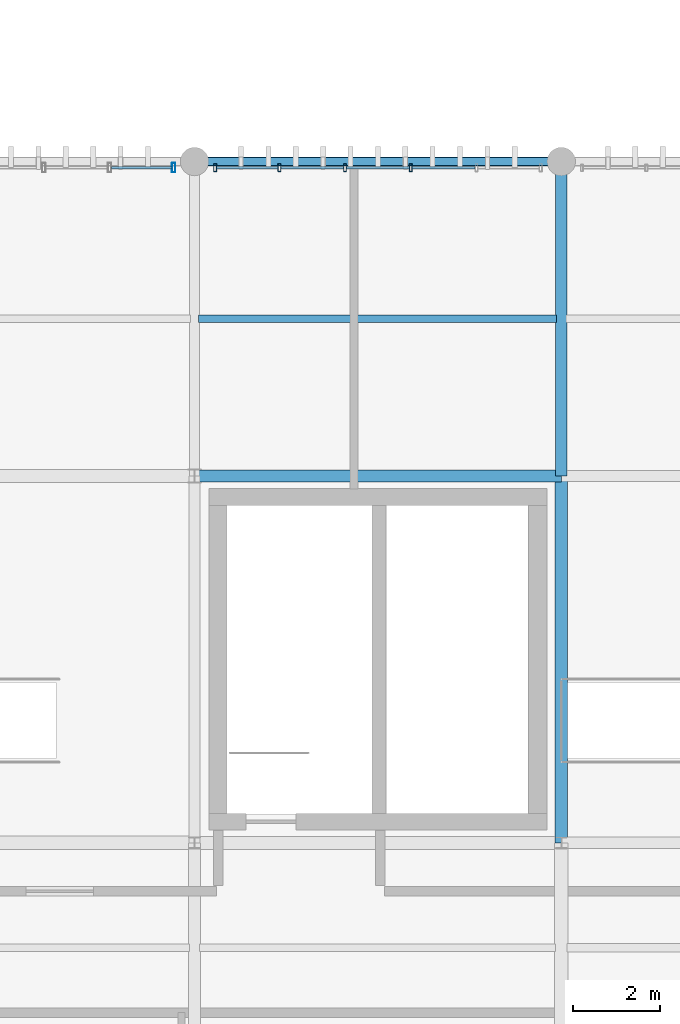
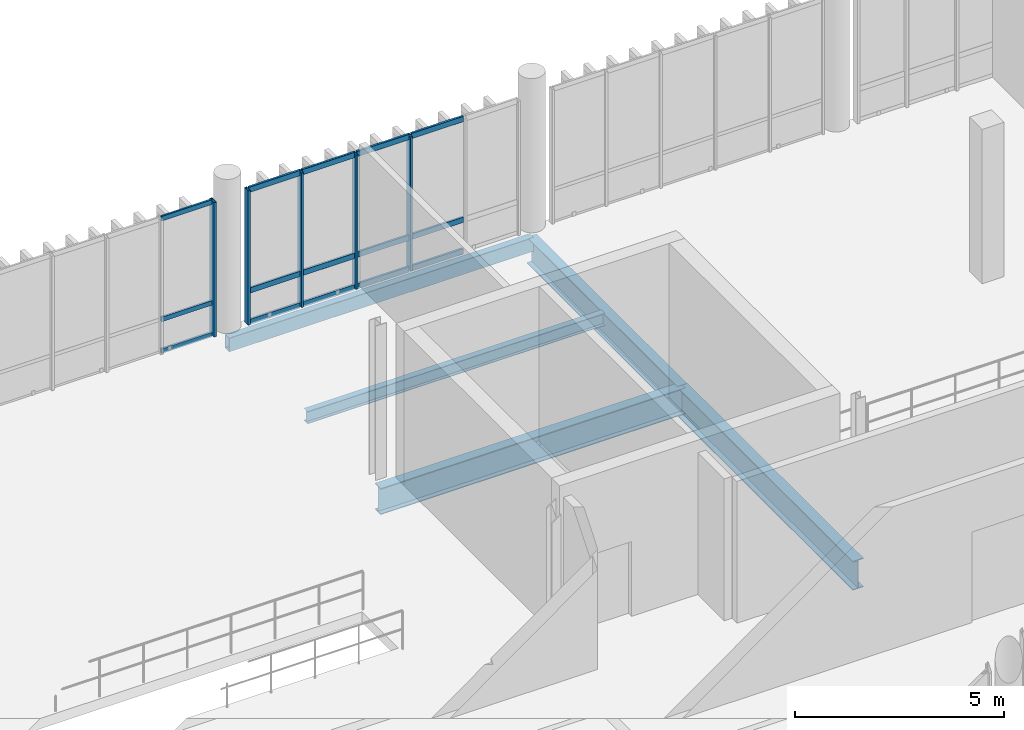
# One storey, part 29 of 66: 20 members, 5 beams, 2 elements without a shape of their own.
"""IFC4 building model written with IfcOpenShell, lengths in metres."""

from ifc_helpers import new_model, si_unit, direction, frame, origin_with_axes, origin_2d_with_axis, place, context, subcontext, project, spatial, hollow_rectangle, i_section, extrude, material, material_profile, profile_set, type_object, element, aggregate, save


model = new_model("IFC4")

# Units and contexts
model_context = context("Model", 3, precision=1e-05, world=origin_with_axes(), true_north=direction((0.0, 1.0)))
body_context = subcontext(model_context, "Body", "Model", "MODEL_VIEW")
ifc_project = project(units=[si_unit("LENGTHUNIT", "METRE"), si_unit("AREAUNIT", "SQUARE_METRE"), si_unit("VOLUMEUNIT", "CUBIC_METRE"), si_unit("PLANEANGLEUNIT", "RADIAN"), si_unit("MASSUNIT", "GRAM", prefix="KILO"), si_unit("THERMODYNAMICTEMPERATUREUNIT", "KELVIN")], contexts=[model_context])

# Site, building, storey
site_placement = place(None, origin_with_axes())
site = spatial("IfcSite", under=ifc_project, at=site_placement, CompositionType="ELEMENT")
building_placement = place(site_placement, origin_with_axes())
building = spatial("IfcBuilding", under=site, at=building_placement, Name="Montbau Bow Law Courts", CompositionType="ELEMENT")
storey_placement = place(building_placement, frame((0.0, 0.0, 34.5), z_axis=(0.0, 0.0, 1.0), x_axis=(1.0, 0.0, 0.0)))
storey = spatial("IfcBuildingStorey", under=building, at=storey_placement, Name="L07", CompositionType="ELEMENT", Elevation=34.5)

# Beams
ifc_material_1 = material(Name="Steel CSA G40.21 Grade 350W (350 MPa)", Category="steel")
ifc_material_profile_1 = material_profile(ifc_material_1, i_section(OverallWidth=0.293, OverallDepth=0.846, WebThickness=0.0154, FlangeThickness=0.0244, at=origin_2d_with_axis()), Name="W840X210", Category="Main", Priority=0)
ifc_profile_set_1 = profile_set([ifc_material_profile_1], Name="Steel CSA G40.21 Grade 350W (350 MPa)")
beam_type_1 = type_object("IfcBeamType", Name="B-FLR-02", PredefinedType="BEAM", material=ifc_profile_set_1)
beam_1_placement = place(None, frame((88.8, 46.2, 33.777), z_axis=(0.0, 1.0, 0.0), x_axis=(-1.0, 0.0, 0.0)))
element("IfcBeam", 1, at=beam_1_placement, inside=storey, type_object=beam_type_1, Name="BM-L07-S1054:bm2_1057", PredefinedType="BEAM", context=body_context, shape_type="SweptSolid", body=[
    extrude(i_section(OverallWidth=0.293, OverallDepth=0.846, WebThickness=0.0154, FlangeThickness=0.0244, at=origin_2d_with_axis()), origin_with_axes(), (0.0, 0.0, 1.0), 8.4),
])
ifc_material_profile_2 = material_profile(ifc_material_1, i_section(OverallWidth=0.267, OverallDepth=0.766, WebThickness=0.0149, FlangeThickness=0.0236, at=origin_2d_with_axis()), Name="W760X185", Category="Main", Priority=0)
ifc_profile_set_2 = profile_set([ifc_material_profile_2], Name="Steel CSA G40.21 Grade 350W (350 MPa)")
beam_type_2 = type_object("IfcBeamType", Name="B-FLR-03", PredefinedType="BEAM", material=ifc_profile_set_2)
beam_2_placement = place(None, frame((80.4, 54.6, 33.817), z_axis=(1.0, 0.0, 0.0), x_axis=(0.0, 1.0, 0.0)))
element("IfcBeam", 2, at=beam_2_placement, inside=storey, type_object=beam_type_2, Name="BM-L07-S1033:bm2_1036", PredefinedType="BEAM", context=body_context, shape_type="SweptSolid", body=[
    extrude(i_section(OverallWidth=0.267, OverallDepth=0.766, WebThickness=0.0149, FlangeThickness=0.0236, at=origin_2d_with_axis()), origin_with_axes(), (0.0, 0.0, 1.0), 8.4),
])
beam_3_placement = place(None, frame((88.8, 54.6, 33.817), z_axis=(0.0, 1.0, 0.0), x_axis=(-1.0, 0.0, 0.0)))
element("IfcBeam", 3, at=beam_3_placement, inside=storey, type_object=beam_type_2, Name="BM-L07-S1055:bm2_1058", PredefinedType="BEAM", context=body_context, shape_type="SweptSolid", body=[
    extrude(i_section(OverallWidth=0.267, OverallDepth=0.766, WebThickness=0.0149, FlangeThickness=0.0236, at=origin_2d_with_axis()), origin_with_axes(), (0.0, 0.0, 1.0), 7.2),
])
ifc_material_profile_3 = material_profile(ifc_material_1, i_section(OverallWidth=0.172, OverallDepth=0.358, WebThickness=0.0079, FlangeThickness=0.0131, at=origin_2d_with_axis()), Name="W360X57", Category="Main", Priority=0)
ifc_profile_set_3 = profile_set([ifc_material_profile_3], Name="Steel CSA G40.21 Grade 350W (350 MPa)")
beam_type_3 = type_object("IfcBeamType", Name="B-JST-03", PredefinedType="JOIST", material=ifc_profile_set_3)
beam_4_placement = place(None, frame((80.491, 58.2, 34.021), z_axis=(1.0, 0.0, 0.0), x_axis=(0.0, 1.0, 0.0)))
element("IfcBeam", 4, at=beam_4_placement, inside=storey, type_object=beam_type_3, Name="JST-L07-S0538:jst2_0538", PredefinedType="JOIST", context=body_context, shape_type="SweptSolid", body=[
    extrude(i_section(OverallWidth=0.172, OverallDepth=0.358, WebThickness=0.0079, FlangeThickness=0.0131, at=origin_2d_with_axis()), origin_with_axes(), (0.0, 0.0, 1.0), 8.2),
])
ifc_material_2 = material(Name="Steel CSA G40.21 Grade 350WT (350 MPa)", Category="steel")
ifc_material_profile_4 = material_profile(ifc_material_2, hollow_rectangle(XDim=0.203, YDim=0.406, WallThickness=0.0127, InnerFilletRadius=0.0254, OuterFilletRadius=0.0127, at=origin_2d_with_axis()), Name="HSS406X203X13", Category="Main", Priority=0)
ifc_profile_set_4 = profile_set([ifc_material_profile_4], Name="Steel CSA G40.21 Grade 350WT (350 MPa)")
beam_type_4 = type_object("IfcBeamType", Name="B-SPN-01", PredefinedType="SPANDREL", material=ifc_profile_set_4)
beam_5_placement = place(None, frame((80.4, 61.8, 33.997), z_axis=(1.0, 0.0, 0.0), x_axis=(0.0, 1.0, 0.0)))
element("IfcBeam", 5, at=beam_5_placement, inside=storey, type_object=beam_type_4, Name="SPN-L07-S1039:bm2_1042", PredefinedType="SPANDREL", context=body_context, shape_type="SweptSolid", body=[
    extrude(hollow_rectangle(XDim=0.203, YDim=0.406, WallThickness=0.0127, InnerFilletRadius=0.0254, OuterFilletRadius=0.0127, at=origin_2d_with_axis()), origin_with_axes(), (0.0, 0.0, 1.0), 8.4),
])

# Curtain wall, member
ifc_material_3 = material(Name="Thermally Broken Extruded Aluminium AA 6063-T6", Category="aluminium")
curtain_wall_type = type_object("IfcCurtainWallType", Name="CW-CRM-02", PredefinedType="NOTDEFINED", material=ifc_material_3)
curtain_wall_1_placement = place(None, frame((72.44, 61.66, 34.5), z_axis=(0.0, 0.0, 1.0), x_axis=(1.0, 0.0, 0.0)))
curtain_wall_1 = element("IfcCurtainWall", 6, at=curtain_wall_1_placement, inside=storey, type_object=curtain_wall_type, Name="CW-L07-249:cw_0249", PredefinedType="NOTDEFINED")
ifc_material_profile_5 = material_profile(ifc_material_3, hollow_rectangle(XDim=0.075, YDim=0.22, WallThickness=0.005, InnerFilletRadius=0.01, OuterFilletRadius=0.005, at=origin_2d_with_axis()), Name="CWM-220X75", Category="Main", Priority=0)
ifc_profile_set_5 = profile_set([ifc_material_profile_5], Name="Thermally Broken Extruded Aluminium AA 6063-T6")
member_type_1 = type_object("IfcMemberType", Name="M-MUL-01", PredefinedType="MULLION", material=ifc_profile_set_5)
member_1_placement = place(None, frame((79.922, 61.66, 34.5), z_axis=(0.0, 0.0, 1.0), x_axis=(1.0, 0.0, 0.0)))
member_1 = element("IfcMember", 7, at=member_1_placement, type_object=member_type_1, Name="CW-L07-249-M06:cw_0249_M06", PredefinedType="MULLION", context=body_context, shape_type="SweptSolid", body=[
    extrude(hollow_rectangle(XDim=0.075, YDim=0.22, WallThickness=0.005, InnerFilletRadius=0.01, OuterFilletRadius=0.005, at=origin_2d_with_axis()), origin_with_axes(), (0.0, 0.0, 1.0), 3.92),
])

# Curtain wall, members
curtain_wall_2_placement = place(None, frame((80.84, 61.66, 34.5), z_axis=(0.0, 0.0, 1.0), x_axis=(1.0, 0.0, 0.0)))
curtain_wall_2 = element("IfcCurtainWall", 8, at=curtain_wall_2_placement, inside=storey, type_object=curtain_wall_type, Name="CW-L07-250:cw_0250", PredefinedType="NOTDEFINED")
ifc_material_profile_6 = material_profile(ifc_material_3, hollow_rectangle(XDim=0.065, YDim=0.18, WallThickness=0.005, InnerFilletRadius=0.01, OuterFilletRadius=0.005, at=origin_2d_with_axis()), Name="CWM-180X65", Category="Main", Priority=0)
ifc_profile_set_6 = profile_set([ifc_material_profile_6], Name="Thermally Broken Extruded Aluminium AA 6063-T6")
member_type_2 = type_object("IfcMemberType", Name="M-MUL-02", PredefinedType="MULLION", material=ifc_profile_set_6)
member_2_placement = place(None, frame((80.873, 61.66, 34.5), z_axis=(0.0, 0.0, 1.0), x_axis=(1.0, 0.0, 0.0)))
member_2 = element("IfcMember", 9, at=member_2_placement, type_object=member_type_2, Name="CW-L07-250-M01:cw_0250_M01", PredefinedType="MULLION", context=body_context, shape_type="SweptSolid", body=[
    extrude(hollow_rectangle(XDim=0.065, YDim=0.18, WallThickness=0.005, InnerFilletRadius=0.01, OuterFilletRadius=0.005, at=origin_2d_with_axis()), origin_with_axes(), (0.0, 0.0, 1.0), 3.92),
])
member_3_placement = place(None, frame((82.344, 61.66, 34.5), z_axis=(0.0, 0.0, 1.0), x_axis=(1.0, 0.0, 0.0)))
member_3 = element("IfcMember", 10, at=member_3_placement, type_object=member_type_2, Name="CW-L07-250-M02:cw_0250_M02", PredefinedType="MULLION", context=body_context, shape_type="SweptSolid", body=[
    extrude(hollow_rectangle(XDim=0.065, YDim=0.18, WallThickness=0.005, InnerFilletRadius=0.01, OuterFilletRadius=0.005, at=origin_2d_with_axis()), origin_with_axes(), (0.0, 0.0, 1.0), 3.92),
])
member_4_placement = place(None, frame((83.848, 61.66, 34.5), z_axis=(0.0, 0.0, 1.0), x_axis=(1.0, 0.0, 0.0)))
member_4 = element("IfcMember", 11, at=member_4_placement, type_object=member_type_2, Name="CW-L07-250-M03:cw_0250_M03", PredefinedType="MULLION", context=body_context, shape_type="SweptSolid", body=[
    extrude(hollow_rectangle(XDim=0.065, YDim=0.18, WallThickness=0.005, InnerFilletRadius=0.01, OuterFilletRadius=0.005, at=origin_2d_with_axis()), origin_with_axes(), (0.0, 0.0, 1.0), 3.92),
])
member_5_placement = place(None, frame((85.352, 61.66, 34.5), z_axis=(0.0, 0.0, 1.0), x_axis=(1.0, 0.0, 0.0)))
member_5 = element("IfcMember", 12, at=member_5_placement, type_object=member_type_2, Name="CW-L07-250-M04:cw_0250_M04", PredefinedType="MULLION", context=body_context, shape_type="SweptSolid", body=[
    extrude(hollow_rectangle(XDim=0.065, YDim=0.18, WallThickness=0.005, InnerFilletRadius=0.01, OuterFilletRadius=0.005, at=origin_2d_with_axis()), origin_with_axes(), (0.0, 0.0, 1.0), 3.92),
])
ifc_material_profile_7 = material_profile(ifc_material_3, hollow_rectangle(XDim=0.06, YDim=0.16, WallThickness=0.004, InnerFilletRadius=0.008, OuterFilletRadius=0.004, at=origin_2d_with_axis()), Name="CWT-160X60", Category="Main", Priority=0)
ifc_profile_set_7 = profile_set([ifc_material_profile_7], Name="Thermally Broken Extruded Aluminium AA 6063-T6")
member_type_3 = type_object("IfcMemberType", Name="M-TRN-01", PredefinedType="USERDEFINED", material=ifc_profile_set_7)
member_6_placement = place(None, frame((80.908, 61.66, 34.53), z_axis=(1.0, 0.0, 0.0), x_axis=(0.0, 1.0, 0.0)))
member_6 = element("IfcMember", 13, at=member_6_placement, type_object=member_type_3, Name="CW-L07-250-T01-1:cw_0250_T01_1", ObjectType="TRANSOM", PredefinedType="USERDEFINED", context=body_context, shape_type="SweptSolid", body=[
    extrude(hollow_rectangle(XDim=0.06, YDim=0.16, WallThickness=0.004, InnerFilletRadius=0.008, OuterFilletRadius=0.004, at=origin_2d_with_axis()), origin_with_axes(), (0.0, 0.0, 1.0), 1.402),
])
member_7_placement = place(None, frame((80.908, 61.66, 35.45), z_axis=(1.0, 0.0, 0.0), x_axis=(0.0, 1.0, 0.0)))
member_7 = element("IfcMember", 14, at=member_7_placement, type_object=member_type_3, Name="CW-L07-250-T01-2:cw_0250_T01_2", ObjectType="TRANSOM", PredefinedType="USERDEFINED", context=body_context, shape_type="SweptSolid", body=[
    extrude(hollow_rectangle(XDim=0.06, YDim=0.16, WallThickness=0.004, InnerFilletRadius=0.008, OuterFilletRadius=0.004, at=origin_2d_with_axis()), origin_with_axes(), (0.0, 0.0, 1.0), 1.402),
])
member_8_placement = place(None, frame((80.908, 61.66, 38.39), z_axis=(1.0, 0.0, 0.0), x_axis=(0.0, 1.0, 0.0)))
member_8 = element("IfcMember", 15, at=member_8_placement, type_object=member_type_3, Name="CW-L07-250-T01-3:cw_0250_T01_3", ObjectType="TRANSOM", PredefinedType="USERDEFINED", context=body_context, shape_type="SweptSolid", body=[
    extrude(hollow_rectangle(XDim=0.06, YDim=0.16, WallThickness=0.004, InnerFilletRadius=0.008, OuterFilletRadius=0.004, at=origin_2d_with_axis()), origin_with_axes(), (0.0, 0.0, 1.0), 1.402),
])
member_9_placement = place(None, frame((82.378, 61.66, 34.53), z_axis=(1.0, 0.0, 0.0), x_axis=(0.0, 1.0, 0.0)))
member_9 = element("IfcMember", 16, at=member_9_placement, type_object=member_type_3, Name="CW-L07-250-T02-1:cw_0250_T02_1", ObjectType="TRANSOM", PredefinedType="USERDEFINED", context=body_context, shape_type="SweptSolid", body=[
    extrude(hollow_rectangle(XDim=0.06, YDim=0.16, WallThickness=0.004, InnerFilletRadius=0.008, OuterFilletRadius=0.004, at=origin_2d_with_axis()), origin_with_axes(), (0.0, 0.0, 1.0), 1.436),
])
member_10_placement = place(None, frame((82.378, 61.66, 35.45), z_axis=(1.0, 0.0, 0.0), x_axis=(0.0, 1.0, 0.0)))
member_10 = element("IfcMember", 17, at=member_10_placement, type_object=member_type_3, Name="CW-L07-250-T02-2:cw_0250_T02_2", ObjectType="TRANSOM", PredefinedType="USERDEFINED", context=body_context, shape_type="SweptSolid", body=[
    extrude(hollow_rectangle(XDim=0.06, YDim=0.16, WallThickness=0.004, InnerFilletRadius=0.008, OuterFilletRadius=0.004, at=origin_2d_with_axis()), origin_with_axes(), (0.0, 0.0, 1.0), 1.436),
])
member_11_placement = place(None, frame((82.378, 61.66, 38.39), z_axis=(1.0, 0.0, 0.0), x_axis=(0.0, 1.0, 0.0)))
member_11 = element("IfcMember", 18, at=member_11_placement, type_object=member_type_3, Name="CW-L07-250-T02-3:cw_0250_T02_3", ObjectType="TRANSOM", PredefinedType="USERDEFINED", context=body_context, shape_type="SweptSolid", body=[
    extrude(hollow_rectangle(XDim=0.06, YDim=0.16, WallThickness=0.004, InnerFilletRadius=0.008, OuterFilletRadius=0.004, at=origin_2d_with_axis()), origin_with_axes(), (0.0, 0.0, 1.0), 1.436),
])
member_12_placement = place(None, frame((83.882, 61.66, 34.53), z_axis=(1.0, 0.0, 0.0), x_axis=(0.0, 1.0, 0.0)))
member_12 = element("IfcMember", 19, at=member_12_placement, type_object=member_type_3, Name="CW-L07-250-T03-1:cw_0250_T03_1", ObjectType="TRANSOM", PredefinedType="USERDEFINED", context=body_context, shape_type="SweptSolid", body=[
    extrude(hollow_rectangle(XDim=0.06, YDim=0.16, WallThickness=0.004, InnerFilletRadius=0.008, OuterFilletRadius=0.004, at=origin_2d_with_axis()), origin_with_axes(), (0.0, 0.0, 1.0), 1.436),
])
member_13_placement = place(None, frame((83.882, 61.66, 35.45), z_axis=(1.0, 0.0, 0.0), x_axis=(0.0, 1.0, 0.0)))
member_13 = element("IfcMember", 20, at=member_13_placement, type_object=member_type_3, Name="CW-L07-250-T03-2:cw_0250_T03_2", ObjectType="TRANSOM", PredefinedType="USERDEFINED", context=body_context, shape_type="SweptSolid", body=[
    extrude(hollow_rectangle(XDim=0.06, YDim=0.16, WallThickness=0.004, InnerFilletRadius=0.008, OuterFilletRadius=0.004, at=origin_2d_with_axis()), origin_with_axes(), (0.0, 0.0, 1.0), 1.436),
])
member_14_placement = place(None, frame((83.882, 61.66, 38.39), z_axis=(1.0, 0.0, 0.0), x_axis=(0.0, 1.0, 0.0)))
member_14 = element("IfcMember", 21, at=member_14_placement, type_object=member_type_3, Name="CW-L07-250-T03-3:cw_0250_T03_3", ObjectType="TRANSOM", PredefinedType="USERDEFINED", context=body_context, shape_type="SweptSolid", body=[
    extrude(hollow_rectangle(XDim=0.06, YDim=0.16, WallThickness=0.004, InnerFilletRadius=0.008, OuterFilletRadius=0.004, at=origin_2d_with_axis()), origin_with_axes(), (0.0, 0.0, 1.0), 1.436),
])
member_15_placement = place(None, frame((85.386, 61.66, 34.53), z_axis=(1.0, 0.0, 0.0), x_axis=(0.0, 1.0, 0.0)))
member_15 = element("IfcMember", 22, at=member_15_placement, type_object=member_type_3, Name="CW-L07-250-T04-1:cw_0250_T04_1", ObjectType="TRANSOM", PredefinedType="USERDEFINED", context=body_context, shape_type="SweptSolid", body=[
    extrude(hollow_rectangle(XDim=0.06, YDim=0.16, WallThickness=0.004, InnerFilletRadius=0.008, OuterFilletRadius=0.004, at=origin_2d_with_axis()), origin_with_axes(), (0.0, 0.0, 1.0), 1.436),
])
member_16_placement = place(None, frame((85.386, 61.66, 35.45), z_axis=(1.0, 0.0, 0.0), x_axis=(0.0, 1.0, 0.0)))
member_16 = element("IfcMember", 23, at=member_16_placement, type_object=member_type_3, Name="CW-L07-250-T04-2:cw_0250_T04_2", ObjectType="TRANSOM", PredefinedType="USERDEFINED", context=body_context, shape_type="SweptSolid", body=[
    extrude(hollow_rectangle(XDim=0.06, YDim=0.16, WallThickness=0.004, InnerFilletRadius=0.008, OuterFilletRadius=0.004, at=origin_2d_with_axis()), origin_with_axes(), (0.0, 0.0, 1.0), 1.436),
])
member_17_placement = place(None, frame((85.386, 61.66, 38.39), z_axis=(1.0, 0.0, 0.0), x_axis=(0.0, 1.0, 0.0)))
member_17 = element("IfcMember", 24, at=member_17_placement, type_object=member_type_3, Name="CW-L07-250-T04-3:cw_0250_T04_3", ObjectType="TRANSOM", PredefinedType="USERDEFINED", context=body_context, shape_type="SweptSolid", body=[
    extrude(hollow_rectangle(XDim=0.06, YDim=0.16, WallThickness=0.004, InnerFilletRadius=0.008, OuterFilletRadius=0.004, at=origin_2d_with_axis()), origin_with_axes(), (0.0, 0.0, 1.0), 1.436),
])
aggregate(curtain_wall_2, [member_2, member_3, member_4, member_5, member_6, member_7, member_8, member_9, member_10, member_11, member_12, member_13, member_14, member_15, member_16, member_17])

# Member
ifc_material_profile_8 = material_profile(ifc_material_3, hollow_rectangle(XDim=0.055, YDim=0.14, WallThickness=0.004, InnerFilletRadius=0.008, OuterFilletRadius=0.004, at=origin_2d_with_axis()), Name="CWT-140X55", Category="Main", Priority=0)
ifc_profile_set_8 = profile_set([ifc_material_profile_8], Name="Thermally Broken Extruded Aluminium AA 6063-T6")
member_type_4 = type_object("IfcMemberType", Name="M-TRN-02", PredefinedType="USERDEFINED", material=ifc_profile_set_8)
member_18_placement = place(None, frame((78.495, 61.66, 34.528), z_axis=(1.0, 0.0, 0.0), x_axis=(0.0, 1.0, 0.0)))
member_18 = element("IfcMember", 25, at=member_18_placement, type_object=member_type_4, Name="CW-L07-249-T05-1:cw_0249_T05_1", ObjectType="TRANSOM", PredefinedType="USERDEFINED", context=body_context, shape_type="SweptSolid", body=[
    extrude(hollow_rectangle(XDim=0.055, YDim=0.14, WallThickness=0.004, InnerFilletRadius=0.008, OuterFilletRadius=0.004, at=origin_2d_with_axis()), origin_with_axes(), (0.0, 0.0, 1.0), 1.388),
])

member_19_placement = place(None, frame((78.495, 61.66, 35.45), z_axis=(1.0, 0.0, 0.0), x_axis=(0.0, 1.0, 0.0)))
member_19 = element("IfcMember", 26, at=member_19_placement, type_object=member_type_4, Name="CW-L07-249-T05-2:cw_0249_T05_2", ObjectType="TRANSOM", PredefinedType="USERDEFINED", context=body_context, shape_type="SweptSolid", body=[
    extrude(hollow_rectangle(XDim=0.055, YDim=0.14, WallThickness=0.004, InnerFilletRadius=0.008, OuterFilletRadius=0.004, at=origin_2d_with_axis()), origin_with_axes(), (0.0, 0.0, 1.0), 1.388),
])

member_20_placement = place(None, frame((78.495, 61.66, 38.392), z_axis=(1.0, 0.0, 0.0), x_axis=(0.0, 1.0, 0.0)))
member_20 = element("IfcMember", 27, at=member_20_placement, type_object=member_type_4, Name="CW-L07-249-T05-3:cw_0249_T05_3", ObjectType="TRANSOM", PredefinedType="USERDEFINED", context=body_context, shape_type="SweptSolid", body=[
    extrude(hollow_rectangle(XDim=0.055, YDim=0.14, WallThickness=0.004, InnerFilletRadius=0.008, OuterFilletRadius=0.004, at=origin_2d_with_axis()), origin_with_axes(), (0.0, 0.0, 1.0), 1.388),
])

aggregate(curtain_wall_1, [member_1, member_18, member_19, member_20])

save(model, "model.ifc")
